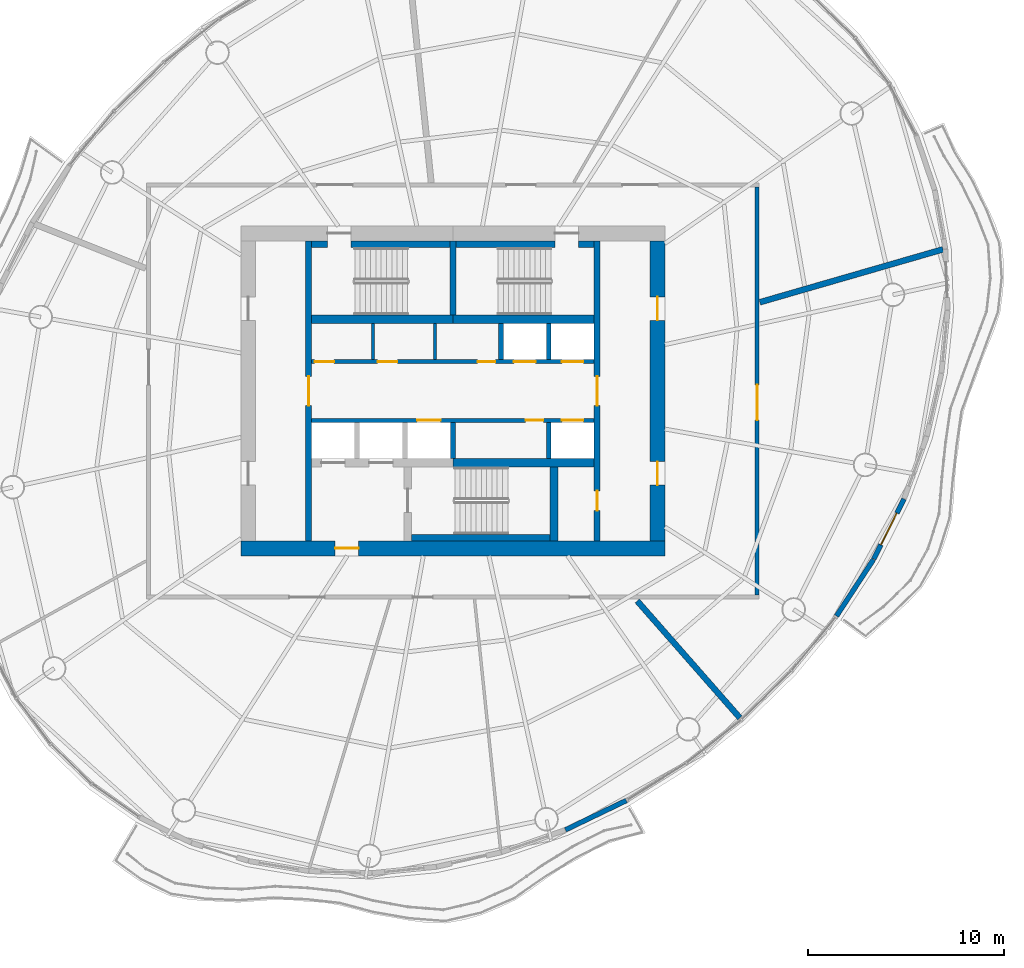
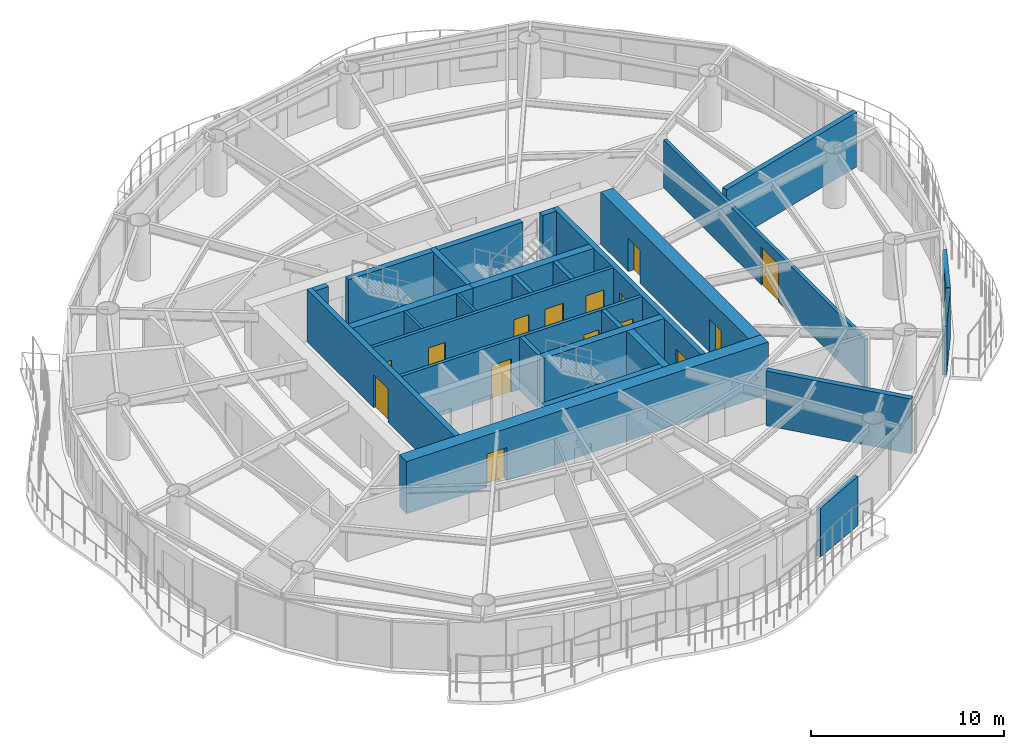
# One storey, part 9 of 14: 28 walls, 16 doors, 16 openings.
"""IFC4 building model written with IfcOpenShell, lengths in metres."""

from ifc_helpers import new_model, si_unit, direction, frame, frame_2d, origin, place, context, subcontext, project, spatial, rectangle, extrude, material, layer, layer_set, type_object, element, fill, save


model = new_model("IFC4")

# Units and contexts
model_context = context("Model", 3, precision=1e-05, world=origin(), true_north=direction((0.0, 1.0)))
body_context = subcontext(model_context, "Body", "Model", "MODEL_VIEW")
ifc_project = project(units=[si_unit("LENGTHUNIT", "METRE"), si_unit("AREAUNIT", "SQUARE_METRE"), si_unit("VOLUMEUNIT", "CUBIC_METRE"), si_unit("PLANEANGLEUNIT", "RADIAN"), si_unit("MASSUNIT", "GRAM", prefix="KILO")], contexts=[model_context])

# Site, building, storey
site_placement = place(None, origin())
site = spatial("IfcSite", under=ifc_project, at=site_placement, CompositionType="ELEMENT")
building_placement = place(site_placement, origin())
building = spatial("IfcBuilding", under=site, at=building_placement, Name="Vermilion Reach Broadcast Tower", CompositionType="ELEMENT")
storey_placement = place(building_placement, frame((0.0, 0.0, 199.300048828125)))
storey = spatial("IfcBuildingStorey", under=building, at=storey_placement, Name="L48", CompositionType="ELEMENT", Elevation=199.300048828125)

# Wall, opening, door
ifc_material_1 = material(Name="Concrete C60", Category="concrete")
ifc_layer_1 = layer(ifc_material_1, 0.300048828125)
ifc_layer_set_1 = layer_set([ifc_layer_1], Name="Core inner wall 300 mm Concrete C60")
wall_type_1 = type_object("IfcWallType", Name="Core inner wall 300 mm Concrete C60", PredefinedType="SHEAR", material=ifc_layer_set_1)
wall_1_placement = place(storey_placement, frame((-13.35009765625, 7.64990234375, 0.0), z_axis=(0.0, 0.0, 1.0), x_axis=(0.0, -1.0, 0.0)))
wall_1 = element("IfcWall", 1, at=wall_1_placement, inside=storey, type_object=wall_type_1, Name="L48 core wall ewW", PredefinedType="SHEAR", context=body_context, shape_type="SweptSolid", body=[
    extrude(rectangle(XDim=15.2998046875, YDim=0.300048828125, at=frame_2d((7.64990234375, 0.0))), origin(), (0.0, 0.0, 1.0), 3.300048828125),
])
opening_1_placement = place(wall_1_placement, frame((6.89990234375, 0.0, 0.0)))
opening_1 = element("IfcOpeningElement", 2, at=opening_1_placement, cuts=wall_1, Name="Opening D04", PredefinedType="OPENING", context=body_context, shape_type="SweptSolid", body=[
    extrude(rectangle(XDim=1.5, YDim=2.10009765625, at=frame_2d((0.75, 1.050048828125))), frame((0.0, 0.159912109375, 0.0), z_axis=(0.0, -1.0, 0.0), x_axis=(1.0, 0.0, 0.0)), (0.0, 0.0, 1.0), 0.320068359375),
])
ifc_material_2 = material(Name="Painted steel fire door", Category="steel")
door_type_1 = type_object("IfcDoorType", Name="Lift lobby door 1500 x 2100", OperationType="DOUBLE_DOOR_SINGLE_SWING", PredefinedType="NOTDEFINED", material=ifc_material_2)
door_1_placement = place(opening_1_placement, origin())
door_1 = element("IfcDoor", 3, at=door_1_placement, inside=storey, type_object=door_type_1, Name="L48 band door BW", OperationType="DOUBLE_DOOR_SINGLE_SWING", OverallHeight=2.10009765625, OverallWidth=1.5, PredefinedType="NOTDEFINED", context=body_context, shape_type="SweptSolid", body=[
    extrude(rectangle(XDim=1.5, YDim=2.10009765625, at=frame_2d((0.75, 1.050048828125))), frame((0.0, 0.02490234375, 0.0), z_axis=(0.0, -1.0, 0.0), x_axis=(1.0, 0.0, 0.0)), (0.0, 0.0, 1.0), 0.050048828125),
])
fill(opening_1, door_1)

# Wall, openings, doors
wall_2_placement = place(storey_placement, frame((1.35009765625, -7.64990234375, 0.0), z_axis=(0.0, 0.0, 1.0), x_axis=(0.0, 1.0, 0.0)))
wall_2 = element("IfcWall", 4, at=wall_2_placement, inside=storey, type_object=wall_type_1, Name="L48 core wall ewE", PredefinedType="SHEAR", context=body_context, shape_type="SweptSolid", body=[
    extrude(rectangle(XDim=15.2998046875, YDim=0.300048828125, at=frame_2d((7.64990234375, 0.0))), origin(), (0.0, 0.0, 1.0), 3.300048828125),
])
opening_2_placement = place(wall_2_placement, frame((1.56005859375, 0.0, 0.0)))
opening_2 = element("IfcOpeningElement", 5, at=opening_2_placement, cuts=wall_2, Name="Opening D05", PredefinedType="OPENING", context=body_context, shape_type="SweptSolid", body=[
    extrude(rectangle(XDim=1.0, YDim=2.10009765625, at=frame_2d((0.5, 1.050048828125))), frame((0.0, 0.159912109375, 0.0), z_axis=(0.0, -1.0, 0.0), x_axis=(1.0, 0.0, 0.0)), (0.0, 0.0, 1.0), 0.320068359375),
])
opening_3_placement = place(wall_2_placement, frame((6.89990234375, 0.0, 0.0)))
opening_3 = element("IfcOpeningElement", 6, at=opening_3_placement, cuts=wall_2, Name="Opening D04", PredefinedType="OPENING", context=body_context, shape_type="SweptSolid", body=[
    extrude(rectangle(XDim=1.5, YDim=2.10009765625, at=frame_2d((0.75, 1.050048828125))), frame((0.0, 0.159912109375, 0.0), z_axis=(0.0, -1.0, 0.0), x_axis=(1.0, 0.0, 0.0)), (0.0, 0.0, 1.0), 0.320068359375),
])
door_2_placement = place(opening_3_placement, origin())
door_2 = element("IfcDoor", 7, at=door_2_placement, inside=storey, type_object=door_type_1, Name="L48 band door BE", OperationType="DOUBLE_DOOR_SINGLE_SWING", OverallHeight=2.10009765625, OverallWidth=1.5, PredefinedType="NOTDEFINED", context=body_context, shape_type="SweptSolid", body=[
    extrude(rectangle(XDim=1.5, YDim=2.10009765625, at=frame_2d((0.75, 1.050048828125))), frame((0.0, 0.02490234375, 0.0), z_axis=(0.0, -1.0, 0.0), x_axis=(1.0, 0.0, 0.0)), (0.0, 0.0, 1.0), 0.050048828125),
])
fill(opening_3, door_2)
ifc_material_3 = material(Name="Timber door", Category="wood")
door_type_2 = type_object("IfcDoorType", Name="Room door 1000 x 2100", OperationType="NOTDEFINED", PredefinedType="NOTDEFINED", material=ifc_material_3)
door_3_placement = place(opening_2_placement, origin())
door_3 = element("IfcDoor", 8, at=door_3_placement, inside=storey, type_object=door_type_2, Name="L48 door SER", OperationType="SINGLE_SWING_LEFT", OverallHeight=2.10009765625, OverallWidth=1.0, PredefinedType="NOTDEFINED", context=body_context, shape_type="SweptSolid", body=[
    extrude(rectangle(XDim=1.0, YDim=2.10009765625, at=frame_2d((0.5, 1.050048828125))), frame((0.0, 0.02490234375, 0.0), z_axis=(0.0, -1.0, 0.0), x_axis=(1.0, 0.0, 0.0)), (0.0, 0.0, 1.0), 0.050048828125),
])
fill(opening_2, door_3)

# Walls
wall_3_placement = place(storey_placement, frame((-6.0, 3.8798828125, 0.0), z_axis=(0.0, 0.0, 1.0), x_axis=(0.0, 1.0, 0.0)))
element("IfcWall", 9, at=wall_3_placement, inside=storey, type_object=wall_type_1, Name="L48 core wall wc", PredefinedType="SHEAR", context=body_context, shape_type="SweptSolid", body=[
    extrude(rectangle(XDim=3.77001953125, YDim=0.300048828125, at=frame_2d((1.885009765625, 0.0))), origin(), (0.0, 0.0, 1.0), 3.300048828125),
])
ifc_material_4 = material(Name="Concrete C60", Category="concrete")
ifc_layer_2 = layer(ifc_material_4, 0.39990234375)
ifc_layer_set_2 = layer_set([ifc_layer_2], Name="Core inner wall 400 mm Concrete C60")
wall_type_2 = type_object("IfcWallType", Name="Core inner wall 400 mm Concrete C60", PredefinedType="SHEAR", material=ifc_layer_set_2)
wall_4_placement = place(storey_placement, frame((-0.85009765625, -3.8798828125, 0.0), z_axis=(0.0, 0.0, 1.0), x_axis=(0.0, -1.0, 0.0)))
element("IfcWall", 10, at=wall_4_placement, inside=storey, type_object=wall_type_2, Name="L48 core wall wb", PredefinedType="SHEAR", context=body_context, shape_type="SweptSolid", body=[
    extrude(rectangle(XDim=3.77001953125, YDim=0.39990234375, at=frame_2d((1.885009765625, 0.0))), origin(), (0.0, 0.0, 1.0), 3.300048828125),
])
ifc_material_5 = material(Name="Concrete C60", Category="concrete")
ifc_layer_3 = layer(ifc_material_5, 0.449951171875)
ifc_layer_set_3 = layer_set([ifc_layer_3], Name="Core inner wall 450 mm Concrete C60")
wall_type_3 = type_object("IfcWallType", Name="Core inner wall 450 mm Concrete C60", PredefinedType="SHEAR", material=ifc_layer_set_3)
for number, where, z_axis, x_axis, name in (
    (11, (-13.199951171875, 3.655029296875, 0.0), (0.0, 0.0, 1.0), (1.0, 0.0, 0.0), "L48 core wall winW"),
    (12, (-6.0, 3.655029296875, 0.0), (0.0, 0.0, 1.0), (1.0, 0.0, 0.0), "L48 core wall winE"),
    (13, (-6.0, -3.655029296875, 0.0), (0.0, 0.0, 1.0), (1.0, 0.0, 0.0), "L48 core wall wisE"),
):
    element("IfcWall", number, at=place(storey_placement, frame(where, z_axis=z_axis, x_axis=x_axis)), inside=storey, type_object=wall_type_3, Name=name, PredefinedType="SHEAR", context=body_context, shape_type="SweptSolid", body=[
        extrude(rectangle(XDim=7.199951171875, YDim=0.449951171875, at=frame_2d((3.60009765625, 0.0))), origin(), (0.0, 0.0, 1.0), 3.300048828125),
    ])

# Wall, opening, door
ifc_material_6 = material(Name="Concrete C60", Category="concrete")
ifc_layer_4 = layer(ifc_material_6, 0.75)
ifc_layer_set_4 = layer_set([ifc_layer_4], Name="Core outer wall 750 mm Concrete C60")
wall_type_4 = type_object("IfcWallType", Name="Core outer wall 750 mm Concrete C60", PredefinedType="SHEAR", material=ifc_layer_set_4)
wall_5_placement = place(storey_placement, frame((-16.800048828125, -8.02490234375, 0.0), z_axis=(0.0, 0.0, 1.0), x_axis=(1.0, 0.0, 0.0)))
wall_5 = element("IfcWall", 14, at=wall_5_placement, inside=storey, type_object=wall_type_4, Name="L48 core wall os", PredefinedType="SHEAR", context=body_context, shape_type="SweptSolid", body=[
    extrude(rectangle(XDim=21.60009765625, YDim=0.75, at=frame_2d((10.800048828125, 0.0))), origin(), (0.0, 0.0, 1.0), 3.300048828125),
])
opening_4_placement = place(wall_5_placement, frame((4.800048828125, 0.0, 0.0)))
opening_4 = element("IfcOpeningElement", 15, at=opening_4_placement, cuts=wall_5, Name="Opening D02", PredefinedType="OPENING", context=body_context, shape_type="SweptSolid", body=[
    extrude(rectangle(XDim=1.199951171875, YDim=2.10009765625, at=frame_2d((0.60009765625, 1.050048828125))), frame((0.0, 0.385009765625, 0.0), z_axis=(0.0, -1.0, 0.0), x_axis=(1.0, 0.0, 0.0)), (0.0, 0.0, 1.0), 0.77001953125),
])
ifc_material_7 = material(Name="Painted steel fire door", Category="steel")
door_type_3 = type_object("IfcDoorType", Name="Firefighting lobby door 1200 x 2100", OperationType="DOUBLE_DOOR_SINGLE_SWING", PredefinedType="NOTDEFINED", material=ifc_material_7)
door_4_placement = place(opening_4_placement, origin())
door_4 = element("IfcDoor", 16, at=door_4_placement, inside=storey, type_object=door_type_3, Name="L48 ffdoor door FFL", OperationType="DOUBLE_DOOR_SINGLE_SWING", OverallHeight=2.10009765625, OverallWidth=1.199951171875, PredefinedType="NOTDEFINED", context=body_context, shape_type="SweptSolid", body=[
    extrude(rectangle(XDim=1.199951171875, YDim=2.10009765625, at=frame_2d((0.60009765625, 1.050048828125))), frame((0.0, 0.02490234375, 0.0), z_axis=(0.0, -1.0, 0.0), x_axis=(1.0, 0.0, 0.0)), (0.0, 0.0, 1.0), 0.050048828125),
])
fill(opening_4, door_4)

# Wall, openings, doors
wall_6_placement = place(storey_placement, frame((4.425048828125, -7.64990234375, 0.0), z_axis=(0.0, 0.0, 1.0), x_axis=(0.0, 1.0, 0.0)))
wall_6 = element("IfcWall", 17, at=wall_6_placement, inside=storey, type_object=wall_type_4, Name="L48 core wall oe", PredefinedType="SHEAR", context=body_context, shape_type="SweptSolid", body=[
    extrude(rectangle(XDim=15.2998046875, YDim=0.75, at=frame_2d((7.64990234375, 0.0))), origin(), (0.0, 0.0, 1.0), 3.300048828125),
])
opening_5_placement = place(wall_6_placement, frame((2.85009765625, 0.0, 0.0)))
opening_5 = element("IfcOpeningElement", 18, at=opening_5_placement, cuts=wall_6, Name="Opening D03", PredefinedType="OPENING", context=body_context, shape_type="SweptSolid", body=[
    extrude(rectangle(XDim=1.199951171875, YDim=2.10009765625, at=frame_2d((0.60009765625, 1.050048828125))), frame((0.0, 0.385009765625, 0.0), z_axis=(0.0, -1.0, 0.0), x_axis=(1.0, 0.0, 0.0)), (0.0, 0.0, 1.0), 0.77001953125),
])
opening_6_placement = place(wall_6_placement, frame((11.25, 0.0, 0.0)))
opening_6 = element("IfcOpeningElement", 19, at=opening_6_placement, cuts=wall_6, Name="Opening D03", PredefinedType="OPENING", context=body_context, shape_type="SweptSolid", body=[
    extrude(rectangle(XDim=1.199951171875, YDim=2.10009765625, at=frame_2d((0.60009765625, 1.050048828125))), frame((0.0, 0.385009765625, 0.0), z_axis=(0.0, -1.0, 0.0), x_axis=(1.0, 0.0, 0.0)), (0.0, 0.0, 1.0), 0.77001953125),
])
ifc_material_8 = material(Name="Painted steel fire door", Category="steel")
door_type_4 = type_object("IfcDoorType", Name="Core lobby door 1200 x 2100", OperationType="DOUBLE_DOOR_SINGLE_SWING", PredefinedType="NOTDEFINED", material=ifc_material_8)
door_5_placement = place(opening_5_placement, origin())
door_5 = element("IfcDoor", 20, at=door_5_placement, inside=storey, type_object=door_type_4, Name="L48 slot door E0", OperationType="DOUBLE_DOOR_SINGLE_SWING", OverallHeight=2.10009765625, OverallWidth=1.199951171875, PredefinedType="NOTDEFINED", context=body_context, shape_type="SweptSolid", body=[
    extrude(rectangle(XDim=1.199951171875, YDim=2.10009765625, at=frame_2d((0.60009765625, 1.050048828125))), frame((0.0, 0.02490234375, 0.0), z_axis=(0.0, -1.0, 0.0), x_axis=(1.0, 0.0, 0.0)), (0.0, 0.0, 1.0), 0.050048828125),
])
fill(opening_5, door_5)
door_6_placement = place(opening_6_placement, origin())
door_6 = element("IfcDoor", 21, at=door_6_placement, inside=storey, type_object=door_type_4, Name="L48 slot door E1", OperationType="DOUBLE_DOOR_SINGLE_SWING", OverallHeight=2.10009765625, OverallWidth=1.199951171875, PredefinedType="NOTDEFINED", context=body_context, shape_type="SweptSolid", body=[
    extrude(rectangle(XDim=1.199951171875, YDim=2.10009765625, at=frame_2d((0.60009765625, 1.050048828125))), frame((0.0, 0.02490234375, 0.0), z_axis=(0.0, -1.0, 0.0), x_axis=(1.0, 0.0, 0.0)), (0.0, 0.0, 1.0), 0.050048828125),
])
fill(opening_6, door_6)

# Walls
ifc_material_9 = material(Name="Masonry block", Category="masonry")
ifc_layer_5 = layer(ifc_material_9, 0.14990234375)
ifc_layer_set_5 = layer_set([ifc_layer_5], Name="Core partition wall 150 mm Masonry block")
wall_type_5 = type_object("IfcWallType", Name="Core partition wall 150 mm Masonry block", PredefinedType="PARTITIONING", material=ifc_layer_set_5)
for number, where, z_axis, x_axis, name in (
    (22, (-10.0595703125, 1.60009765625, 0.0), (0.0, 0.0, 1.0), (0.0, 1.0, 0.0), "L48 core wall prN-4060"),
    (23, (-6.9189453125, 1.60009765625, 0.0), (0.0, 0.0, 1.0), (0.0, 1.0, 0.0), "L48 core wall prN-919"),
):
    element("IfcWall", number, at=place(storey_placement, frame(where, z_axis=z_axis, x_axis=x_axis)), inside=storey, type_object=wall_type_5, Name=name, PredefinedType="PARTITIONING", context=body_context, shape_type="SweptSolid", body=[
        extrude(rectangle(XDim=1.829833984375, YDim=0.14990234375, at=frame_2d((0.9150390625, 0.0))), origin(), (0.0, 0.0, 1.0), 3.300048828125),
    ])

# Wall, openings, doors
ifc_material_10 = material(Name="Concrete C50", Category="concrete")
ifc_layer_6 = layer(ifc_material_10, 0.199951171875)
ifc_layer_set_6 = layer_set([ifc_layer_6], Name="Core shaft wall 200 mm Concrete C50")
wall_type_6 = type_object("IfcWallType", Name="Core shaft wall 200 mm Concrete C50", PredefinedType="SHEAR", material=ifc_layer_set_6)
wall_7_placement = place(storey_placement, frame((-13.199951171875, 1.5, 0.0), z_axis=(0.0, 0.0, 1.0), x_axis=(1.0, 0.0, 0.0)))
wall_7 = element("IfcWall", 24, at=wall_7_placement, inside=storey, type_object=wall_type_6, Name="L48 core wall fn", PredefinedType="SHEAR", context=body_context, shape_type="SweptSolid", body=[
    extrude(rectangle(XDim=14.39990234375, YDim=0.199951171875, at=frame_2d((7.199951171875, 0.0))), origin(), (0.0, 0.0, 1.0), 3.300048828125),
])
opening_7_placement = place(wall_7_placement, frame((10.3125, 0.0, 0.0)))
opening_7 = element("IfcOpeningElement", 25, at=opening_7_placement, cuts=wall_7, Name="Opening LD2", PredefinedType="OPENING", context=body_context, shape_type="SweptSolid", body=[
    extrude(rectangle(XDim=1.10009765625, YDim=2.10009765625, at=frame_2d((0.550048828125, 1.050048828125))), frame((0.0, 0.10986328125, 0.0), z_axis=(0.0, -1.0, 0.0), x_axis=(1.0, 0.0, 0.0)), (0.0, 0.0, 1.0), 0.219970703125),
])
opening_8_placement = place(wall_7_placement, frame((12.754150390625, 0.0, 0.0)))
opening_8 = element("IfcOpeningElement", 26, at=opening_8_placement, cuts=wall_7, Name="Opening LD2", PredefinedType="OPENING", context=body_context, shape_type="SweptSolid", body=[
    extrude(rectangle(XDim=1.10009765625, YDim=2.10009765625, at=frame_2d((0.550048828125, 1.050048828125))), frame((0.0, 0.10986328125, 0.0), z_axis=(0.0, -1.0, 0.0), x_axis=(1.0, 0.0, 0.0)), (0.0, 0.0, 1.0), 0.219970703125),
])
opening_9_placement = place(wall_7_placement, frame((0.14990234375, 0.0, 0.0)))
opening_9 = element("IfcOpeningElement", 27, at=opening_9_placement, cuts=wall_7, Name="Opening D07", PredefinedType="OPENING", context=body_context, shape_type="SweptSolid", body=[
    extrude(rectangle(XDim=1.0, YDim=2.10009765625, at=frame_2d((0.5, 1.050048828125))), frame((0.0, 0.10986328125, 0.0), z_axis=(0.0, -1.0, 0.0), x_axis=(1.0, 0.0, 0.0)), (0.0, 0.0, 1.0), 0.219970703125),
])
opening_10_placement = place(wall_7_placement, frame((3.365478515625, 0.0, 0.0)))
opening_10 = element("IfcOpeningElement", 28, at=opening_10_placement, cuts=wall_7, Name="Opening D10", PredefinedType="OPENING", context=body_context, shape_type="SweptSolid", body=[
    extrude(rectangle(XDim=1.0, YDim=2.10009765625, at=frame_2d((0.5, 1.050048828125))), frame((0.0, 0.10986328125, 0.0), z_axis=(0.0, -1.0, 0.0), x_axis=(1.0, 0.0, 0.0)), (0.0, 0.0, 1.0), 0.219970703125),
])
opening_11_placement = place(wall_7_placement, frame((8.466552734375, 0.0, 0.0)))
opening_11 = element("IfcOpeningElement", 29, at=opening_11_placement, cuts=wall_7, Name="Opening D06", PredefinedType="OPENING", context=body_context, shape_type="SweptSolid", body=[
    extrude(rectangle(XDim=0.89990234375, YDim=2.10009765625, at=frame_2d((0.449951171875, 1.050048828125))), frame((0.0, 0.10986328125, 0.0), z_axis=(0.0, -1.0, 0.0), x_axis=(1.0, 0.0, 0.0)), (0.0, 0.0, 1.0), 0.219970703125),
])
ifc_material_11 = material(Name="Timber door", Category="wood")
door_type_5 = type_object("IfcDoorType", Name="Accessible WC door 1000 x 2100", OperationType="NOTDEFINED", PredefinedType="NOTDEFINED", material=ifc_material_11)
door_7_placement = place(opening_9_placement, origin())
door_7 = element("IfcDoor", 30, at=door_7_placement, inside=storey, type_object=door_type_5, Name="L48 door Accessible WC", OperationType="SINGLE_SWING_LEFT", OverallHeight=2.10009765625, OverallWidth=1.0, PredefinedType="NOTDEFINED", context=body_context, shape_type="SweptSolid", body=[
    extrude(rectangle(XDim=1.0, YDim=2.10009765625, at=frame_2d((0.5, 1.050048828125))), frame((0.0, 0.02490234375, 0.0), z_axis=(0.0, -1.0, 0.0), x_axis=(1.0, 0.0, 0.0)), (0.0, 0.0, 1.0), 0.050048828125),
])
fill(opening_9, door_7)
ifc_material_12 = material(Name="Stainless steel", Category="steel")
door_type_6 = type_object("IfcDoorType", Name="Landing door 1100 x 2100", OperationType="DOUBLE_DOOR_SLIDING", PredefinedType="NOTDEFINED", material=ifc_material_12)
door_8_placement = place(opening_7_placement, origin())
door_8 = element("IfcDoor", 31, at=door_8_placement, inside=storey, type_object=door_type_6, Name="L48 landing door HR1", OperationType="DOUBLE_DOOR_SLIDING", OverallHeight=2.10009765625, OverallWidth=1.10009765625, PredefinedType="NOTDEFINED", context=body_context, shape_type="SweptSolid", body=[
    extrude(rectangle(XDim=1.10009765625, YDim=2.10009765625, at=frame_2d((0.550048828125, 1.050048828125))), frame((0.0, 0.02490234375, 0.0), z_axis=(0.0, -1.0, 0.0), x_axis=(1.0, 0.0, 0.0)), (0.0, 0.0, 1.0), 0.050048828125),
])
fill(opening_7, door_8)
door_9_placement = place(opening_8_placement, origin())
door_9 = element("IfcDoor", 32, at=door_9_placement, inside=storey, type_object=door_type_6, Name="L48 landing door HR2", OperationType="DOUBLE_DOOR_SLIDING", OverallHeight=2.10009765625, OverallWidth=1.10009765625, PredefinedType="NOTDEFINED", context=body_context, shape_type="SweptSolid", body=[
    extrude(rectangle(XDim=1.10009765625, YDim=2.10009765625, at=frame_2d((0.550048828125, 1.050048828125))), frame((0.0, 0.02490234375, 0.0), z_axis=(0.0, -1.0, 0.0), x_axis=(1.0, 0.0, 0.0)), (0.0, 0.0, 1.0), 0.050048828125),
])
fill(opening_8, door_9)
ifc_material_13 = material(Name="Timber door", Category="wood")
door_type_7 = type_object("IfcDoorType", Name="WC door 900 x 2100", OperationType="NOTDEFINED", PredefinedType="NOTDEFINED", material=ifc_material_13)
door_10_placement = place(opening_11_placement, origin())
door_10 = element("IfcDoor", 33, at=door_10_placement, inside=storey, type_object=door_type_7, Name="L48 door Male WC", OperationType="SINGLE_SWING_RIGHT", OverallHeight=2.10009765625, OverallWidth=0.89990234375, PredefinedType="NOTDEFINED", context=body_context, shape_type="SweptSolid", body=[
    extrude(rectangle(XDim=0.89990234375, YDim=2.10009765625, at=frame_2d((0.449951171875, 1.050048828125))), frame((0.0, 0.02490234375, 0.0), z_axis=(0.0, -1.0, 0.0), x_axis=(1.0, 0.0, 0.0)), (0.0, 0.0, 1.0), 0.050048828125),
])
fill(opening_11, door_10)
ifc_material_14 = material(Name="Timber door", Category="wood")
door_type_8 = type_object("IfcDoorType", Name="WC lobby door 1000 x 2100", OperationType="NOTDEFINED", PredefinedType="NOTDEFINED", material=ifc_material_14)
door_11_placement = place(opening_10_placement, origin())
door_11 = element("IfcDoor", 34, at=door_11_placement, inside=storey, type_object=door_type_8, Name="L48 door WC lobby", OperationType="SINGLE_SWING_LEFT", OverallHeight=2.10009765625, OverallWidth=1.0, PredefinedType="NOTDEFINED", context=body_context, shape_type="SweptSolid", body=[
    extrude(rectangle(XDim=1.0, YDim=2.10009765625, at=frame_2d((0.5, 1.050048828125))), frame((0.0, 0.02490234375, 0.0), z_axis=(0.0, -1.0, 0.0), x_axis=(1.0, 0.0, 0.0)), (0.0, 0.0, 1.0), 0.050048828125),
])
fill(opening_10, door_11)

wall_8_placement = place(storey_placement, frame((1.199951171875, -1.5, 0.0), z_axis=(0.0, 0.0, 1.0), x_axis=(-1.0, 0.0, 0.0)))
wall_8 = element("IfcWall", 35, at=wall_8_placement, inside=storey, type_object=wall_type_6, Name="L48 core wall fs", PredefinedType="SHEAR", context=body_context, shape_type="SweptSolid", body=[
    extrude(rectangle(XDim=14.39990234375, YDim=0.199951171875, at=frame_2d((7.199951171875, 0.0))), origin(), (0.0, 0.0, 1.0), 3.300048828125),
])
opening_12_placement = place(wall_8_placement, frame((7.82080078125, 0.0, 0.0)))
opening_12 = element("IfcOpeningElement", 36, at=opening_12_placement, cuts=wall_8, Name="Opening LD1", PredefinedType="OPENING", context=body_context, shape_type="SweptSolid", body=[
    extrude(rectangle(XDim=1.199951171875, YDim=2.10009765625, at=frame_2d((0.60009765625, 1.050048828125))), frame((0.0, 0.10986328125, 0.0), z_axis=(0.0, -1.0, 0.0), x_axis=(1.0, 0.0, 0.0)), (0.0, 0.0, 1.0), 0.219970703125),
])
opening_13_placement = place(wall_8_placement, frame((0.5458984375, 0.0, 0.0)))
opening_13 = element("IfcOpeningElement", 37, at=opening_13_placement, cuts=wall_8, Name="Opening LD2", PredefinedType="OPENING", context=body_context, shape_type="SweptSolid", body=[
    extrude(rectangle(XDim=1.10009765625, YDim=2.10009765625, at=frame_2d((0.550048828125, 1.050048828125))), frame((0.0, 0.10986328125, 0.0), z_axis=(0.0, -1.0, 0.0), x_axis=(1.0, 0.0, 0.0)), (0.0, 0.0, 1.0), 0.219970703125),
])
opening_14_placement = place(wall_8_placement, frame((2.591552734375, 0.0, 0.0)))
opening_14 = element("IfcOpeningElement", 38, at=opening_14_placement, cuts=wall_8, Name="Opening D06", PredefinedType="OPENING", context=body_context, shape_type="SweptSolid", body=[
    extrude(rectangle(XDim=0.89990234375, YDim=2.10009765625, at=frame_2d((0.449951171875, 1.050048828125))), frame((0.0, 0.10986328125, 0.0), z_axis=(0.0, -1.0, 0.0), x_axis=(1.0, 0.0, 0.0)), (0.0, 0.0, 1.0), 0.219970703125),
])
door_12_placement = place(opening_13_placement, origin())
door_12 = element("IfcDoor", 39, at=door_12_placement, inside=storey, type_object=door_type_6, Name="L48 landing door HR3", OperationType="DOUBLE_DOOR_SLIDING", OverallHeight=2.10009765625, OverallWidth=1.10009765625, PredefinedType="NOTDEFINED", context=body_context, shape_type="SweptSolid", body=[
    extrude(rectangle(XDim=1.10009765625, YDim=2.10009765625, at=frame_2d((0.550048828125, 1.050048828125))), frame((0.0, 0.02490234375, 0.0), z_axis=(0.0, -1.0, 0.0), x_axis=(1.0, 0.0, 0.0)), (0.0, 0.0, 1.0), 0.050048828125),
])
fill(opening_13, door_12)
ifc_material_15 = material(Name="Stainless steel", Category="steel")
door_type_9 = type_object("IfcDoorType", Name="Landing door 1200 x 2100", OperationType="DOUBLE_DOOR_SLIDING", PredefinedType="NOTDEFINED", material=ifc_material_15)
door_13_placement = place(opening_12_placement, origin())
door_13 = element("IfcDoor", 40, at=door_13_placement, inside=storey, type_object=door_type_9, Name="L48 landing door SV1", OperationType="DOUBLE_DOOR_SLIDING", OverallHeight=2.10009765625, OverallWidth=1.199951171875, PredefinedType="NOTDEFINED", context=body_context, shape_type="SweptSolid", body=[
    extrude(rectangle(XDim=1.199951171875, YDim=2.10009765625, at=frame_2d((0.60009765625, 1.050048828125))), frame((0.0, 0.02490234375, 0.0), z_axis=(0.0, -1.0, 0.0), x_axis=(1.0, 0.0, 0.0)), (0.0, 0.0, 1.0), 0.050048828125),
])
fill(opening_12, door_13)
door_14_placement = place(opening_14_placement, origin())
door_14 = element("IfcDoor", 41, at=door_14_placement, inside=storey, type_object=door_type_7, Name="L48 door Female WC", OperationType="SINGLE_SWING_LEFT", OverallHeight=2.10009765625, OverallWidth=0.89990234375, PredefinedType="NOTDEFINED", context=body_context, shape_type="SweptSolid", body=[
    extrude(rectangle(XDim=0.89990234375, YDim=2.10009765625, at=frame_2d((0.449951171875, 1.050048828125))), frame((0.0, 0.02490234375, 0.0), z_axis=(0.0, -1.0, 0.0), x_axis=(1.0, 0.0, 0.0)), (0.0, 0.0, 1.0), 0.050048828125),
])
fill(opening_14, door_14)

# Walls
ifc_material_16 = material(Name="Concrete C50", Category="concrete")
ifc_layer_7 = layer(ifc_material_16, 0.25)
ifc_layer_set_7 = layer_set([ifc_layer_7], Name="Core shaft wall 250 mm Concrete C50")
wall_type_7 = type_object("IfcWallType", Name="Core shaft wall 250 mm Concrete C50", PredefinedType="SHEAR", material=ifc_layer_set_7)
for number, where, z_axis, x_axis, name in (
    (42, (-3.558349609375, 1.60009765625, 0.0), (0.0, 0.0, 1.0), (0.0, 1.0, 0.0), "L48 core wall psN3"),
    (43, (-1.11669921875, 1.60009765625, 0.0), (0.0, 0.0, 1.0), (0.0, 1.0, 0.0), "L48 core wall psN4"),
    (44, (-6.0, -1.60009765625, 0.0), (0.0, 0.0, 1.0), (0.0, -1.0, 0.0), "L48 core wall psS2"),
    (45, (-1.11669921875, -1.60009765625, 0.0), (0.0, 0.0, 1.0), (0.0, -1.0, 0.0), "L48 core wall psS4"),
):
    element("IfcWall", number, at=place(storey_placement, frame(where, z_axis=z_axis, x_axis=x_axis)), inside=storey, type_object=wall_type_7, Name=name, PredefinedType="SHEAR", context=body_context, shape_type="SweptSolid", body=[
        extrude(rectangle(XDim=1.829833984375, YDim=0.25, at=frame_2d((0.9150390625, 0.0))), origin(), (0.0, 0.0, 1.0), 3.300048828125),
    ])
ifc_material_17 = material(Name="Concrete C60", Category="concrete")
ifc_layer_8 = layer(ifc_material_17, 0.35009765625)
ifc_layer_set_8 = layer_set([ifc_layer_8], Name="Core stair wall 350 mm Concrete C60")
wall_type_8 = type_object("IfcWallType", Name="Core stair wall 350 mm Concrete C60", PredefinedType="SHEAR", material=ifc_layer_set_8)
wall_9_placement = place(storey_placement, frame((-13.199951171875, 7.47509765625, 0.0), z_axis=(0.0, 0.0, 1.0), x_axis=(1.0, 0.0, 0.0)))
element("IfcWall", 46, at=wall_9_placement, inside=storey, type_object=wall_type_8, Name="L48 core wall l1a", PredefinedType="SHEAR", context=body_context, shape_type="SweptSolid", body=[
    extrude(rectangle(XDim=0.800048828125, YDim=0.35009765625, at=frame_2d((0.39990234375, 0.0))), origin(), (0.0, 0.0, 1.0), 3.300048828125),
])
for number, where, z_axis, x_axis, name in (
    (47, (-11.199951171875, 7.47509765625, 0.0), (0.0, 0.0, 1.0), (1.0, 0.0, 0.0), "L48 core wall l1b"),
    (48, (-5.85009765625, 7.47509765625, 0.0), (0.0, 0.0, 1.0), (1.0, 0.0, 0.0), "L48 core wall l2a"),
):
    element("IfcWall", number, at=place(storey_placement, frame(where, z_axis=z_axis, x_axis=x_axis)), inside=storey, type_object=wall_type_8, Name=name, PredefinedType="SHEAR", context=body_context, shape_type="SweptSolid", body=[
        extrude(rectangle(XDim=5.050048828125, YDim=0.35009765625, at=frame_2d((2.52490234375, 0.0))), origin(), (0.0, 0.0, 1.0), 3.300048828125),
    ])
wall_10_placement = place(storey_placement, frame((0.39990234375, 7.47509765625, 0.0), z_axis=(0.0, 0.0, 1.0), x_axis=(1.0, 0.0, 0.0)))
element("IfcWall", 49, at=wall_10_placement, inside=storey, type_object=wall_type_8, Name="L48 core wall l2b", PredefinedType="SHEAR", context=body_context, shape_type="SweptSolid", body=[
    extrude(rectangle(XDim=0.800048828125, YDim=0.35009765625, at=frame_2d((0.39990234375, 0.0))), origin(), (0.0, 0.0, 1.0), 3.300048828125),
])
wall_11_placement = place(storey_placement, frame((-8.10009765625, -7.47509765625, 0.0), z_axis=(0.0, 0.0, 1.0), x_axis=(1.0, 0.0, 0.0)))
element("IfcWall", 50, at=wall_11_placement, inside=storey, type_object=wall_type_8, Name="L48 core wall l3", PredefinedType="SHEAR", context=body_context, shape_type="SweptSolid", body=[
    extrude(rectangle(XDim=7.050048828125, YDim=0.35009765625, at=frame_2d((3.52490234375, 0.0))), origin(), (0.0, 0.0, 1.0), 3.300048828125),
])
ifc_material_18 = material(Name="Double-leaf plasterboard on isolated steel stud", Category="steel")
ifc_layer_9 = layer(ifc_material_18, 0.300048828125)
ifc_layer_set_9 = layer_set([ifc_layer_9], Name="Partition 300 acoustic double leaf")
wall_type_9 = type_object("IfcWallType", Name="Partition 300 acoustic double leaf", PredefinedType="PARTITIONING", material=ifc_layer_set_9)
wall_12_placement = place(storey_placement, frame((8.622314453125, -16.656005859375, 0.0), z_axis=(0.0, 0.0, 1.0), x_axis=(-0.659742211608, 0.751491992121, 0.0)))
element("IfcWall", 51, at=wall_12_placement, inside=storey, type_object=wall_type_9, Name="Partition 48.07", PredefinedType="PARTITIONING", context=body_context, shape_type="SweptSolid", body=[
    extrude(rectangle(XDim=7.927001953125, YDim=0.300048828125, at=frame_2d((3.96337890625, 0.0))), origin(), (0.0, 0.0, 1.0), 3.449951171875),
])
wall_13_placement = place(storey_placement, frame((18.968994140625, 7.216796875, 0.0), z_axis=(0.0, 0.0, 1.0), x_axis=(-0.960680652431, -0.277655693342, 0.0)))
element("IfcWall", 52, at=wall_13_placement, inside=storey, type_object=wall_type_9, Name="Partition 48.08", PredefinedType="PARTITIONING", context=body_context, shape_type="SweptSolid", body=[
    extrude(rectangle(XDim=9.709228515625, YDim=0.300048828125, at=frame_2d((4.8544921875, 0.0))), origin(), (0.0, 0.0, 1.0), 3.449951171875),
])
ifc_material_19 = material(Name="Terracotta rainscreen cladding", Category="masonry")
ifc_layer_10 = layer(ifc_material_19, 0.25)
ifc_layer_set_10 = layer_set([ifc_layer_10], Name="Terracotta rainscreen wall 250")
wall_type_10 = type_object("IfcWallType", Name="Terracotta rainscreen wall 250", PredefinedType="SOLIDWALL", material=ifc_layer_set_10)
for number, where, z_axis, x_axis, name in (
    (53, (-0.26416015625, -22.36083984375, 0.0), (0.0, 0.0, 1.0), (0.900825117277, 0.43418211396, 0.0), "External wall L48 33"),
    (54, (13.544921875, -11.466064453125, 0.0), (0.0, 0.0, 1.0), (0.547235995567, 0.836978354054, 0.0), "External wall L48 38"),
):
    element("IfcWall", number, at=place(storey_placement, frame(where, z_axis=z_axis, x_axis=x_axis)), inside=storey, type_object=wall_type_10, Name=name, PredefinedType="SOLIDWALL", context=body_context, shape_type="SweptSolid", body=[
        extrude(rectangle(XDim=3.444580078125, YDim=0.25, at=frame_2d((1.72216796875, 0.0))), origin(), (0.0, 0.0, 1.0), 3.099853515625),
    ])

# Wall, opening, door
wall_14_placement = place(storey_placement, frame((15.44091796875, -8.563720703125, 0.0), z_axis=(0.0, 0.0, 1.0), x_axis=(0.449602668961, 0.89322866057, 0.0)))
wall_14 = element("IfcWall", 55, at=wall_14_placement, inside=storey, type_object=wall_type_10, Name="External wall L48 39", PredefinedType="SOLIDWALL", context=body_context, shape_type="SweptSolid", body=[
    extrude(rectangle(XDim=3.431396484375, YDim=0.25, at=frame_2d((1.7158203125, 0.0))), origin(), (0.0, 0.0, 1.0), 3.099853515625),
])
opening_15_placement = place(wall_14_placement, frame((0.81591796875, 0.0, 0.0)))
opening_15 = element("IfcOpeningElement", 56, at=opening_15_placement, cuts=wall_14, Name="Opening D70", PredefinedType="OPENING", context=body_context, shape_type="SweptSolid", body=[
    extrude(rectangle(XDim=1.800048828125, YDim=2.39990234375, at=frame_2d((0.89990234375, 1.199951171875))), frame((0.0, 0.135009765625, 0.0), z_axis=(0.0, -1.0, 0.0), x_axis=(1.0, 0.0, 0.0)), (0.0, 0.0, 1.0), 0.27001953125),
])
ifc_material_20 = material(Name="Low-e laminated clear glass in aluminium frame", Category="aluminium")
door_type_10 = type_object("IfcDoorType", Name="Balcony sliding door 1800 x 2400", OperationType="DOUBLE_DOOR_SLIDING", PredefinedType="DOOR", material=ifc_material_20)
door_15_placement = place(opening_15_placement, origin())
door_15 = element("IfcDoor", 57, at=door_15_placement, inside=storey, type_object=door_type_10, Name="Balcony door L48 run 10", OperationType="DOUBLE_DOOR_SLIDING", OverallHeight=2.39990234375, OverallWidth=1.800048828125, PredefinedType="DOOR", context=body_context, shape_type="SweptSolid", body=[
    extrude(rectangle(XDim=1.800048828125, YDim=2.39990234375, at=frame_2d((0.89990234375, 1.199951171875))), frame((0.0, 0.02490234375, 0.0), z_axis=(0.0, -1.0, 0.0), x_axis=(1.0, 0.0, 0.0)), (0.0, 0.0, 1.0), 0.050048828125),
])
fill(opening_15, door_15)

ifc_material_21 = material(Name="Fire-rated gypsum board partition")
ifc_layer_11 = layer(ifc_material_21, 0.199951171875)
ifc_layer_set_11 = layer_set([ifc_layer_11], Name="Under girder: Corridor wall 200 fire-rated")
wall_type_11 = type_object("IfcWallType", Name="Under girder: Corridor wall 200 fire-rated", PredefinedType="PARTITIONING", material=ifc_layer_set_11)
wall_15_placement = place(storey_placement, frame((9.5, 10.39990234375, 0.0), z_axis=(0.0, 0.0, 1.0), x_axis=(0.0, -1.0, 0.0)))
wall_15 = element("IfcWall", 58, at=wall_15_placement, inside=storey, type_object=wall_type_11, Name="Corridor wall 48.E", PredefinedType="PARTITIONING", context=body_context, shape_type="SweptSolid", body=[
    extrude(rectangle(XDim=20.7998046875, YDim=0.199951171875, at=frame_2d((10.39990234375, 0.0))), origin(), (0.0, 0.0, 1.0), 3.050048828125),
])
opening_16_placement = place(wall_15_placement, frame((10.083740234375, 0.0, 0.0)))
opening_16 = element("IfcOpeningElement", 59, at=opening_16_placement, cuts=wall_15, Name="Opening D27", PredefinedType="OPENING", context=body_context, shape_type="SweptSolid", body=[
    extrude(rectangle(XDim=1.800048828125, YDim=2.39990234375, at=frame_2d((0.89990234375, 1.199951171875))), frame((0.0, 0.10986328125, 0.0), z_axis=(0.0, -1.0, 0.0), x_axis=(1.0, 0.0, 0.0)), (0.0, 0.0, 1.0), 0.219970703125),
])
ifc_material_22 = material(Name="Acoustic timber door leaf", Category="wood")
door_type_11 = type_object("IfcDoorType", Name="Door pair 1800x2400", OperationType="NOTDEFINED", PredefinedType="DOOR", material=ifc_material_22)
door_16_placement = place(opening_16_placement, origin())
door_16 = element("IfcDoor", 60, at=door_16_placement, inside=storey, type_object=door_type_11, Name="Door 48.07", OperationType="DOUBLE_DOOR_SINGLE_SWING", OverallHeight=2.39990234375, OverallWidth=1.800048828125, PredefinedType="DOOR", context=body_context, shape_type="SweptSolid", body=[
    extrude(rectangle(XDim=1.800048828125, YDim=2.39990234375, at=frame_2d((0.89990234375, 1.199951171875))), frame((0.0, 0.02490234375, 0.0), z_axis=(0.0, -1.0, 0.0), x_axis=(1.0, 0.0, 0.0)), (0.0, 0.0, 1.0), 0.050048828125),
])
fill(opening_16, door_16)

save(model, "model.ifc")
